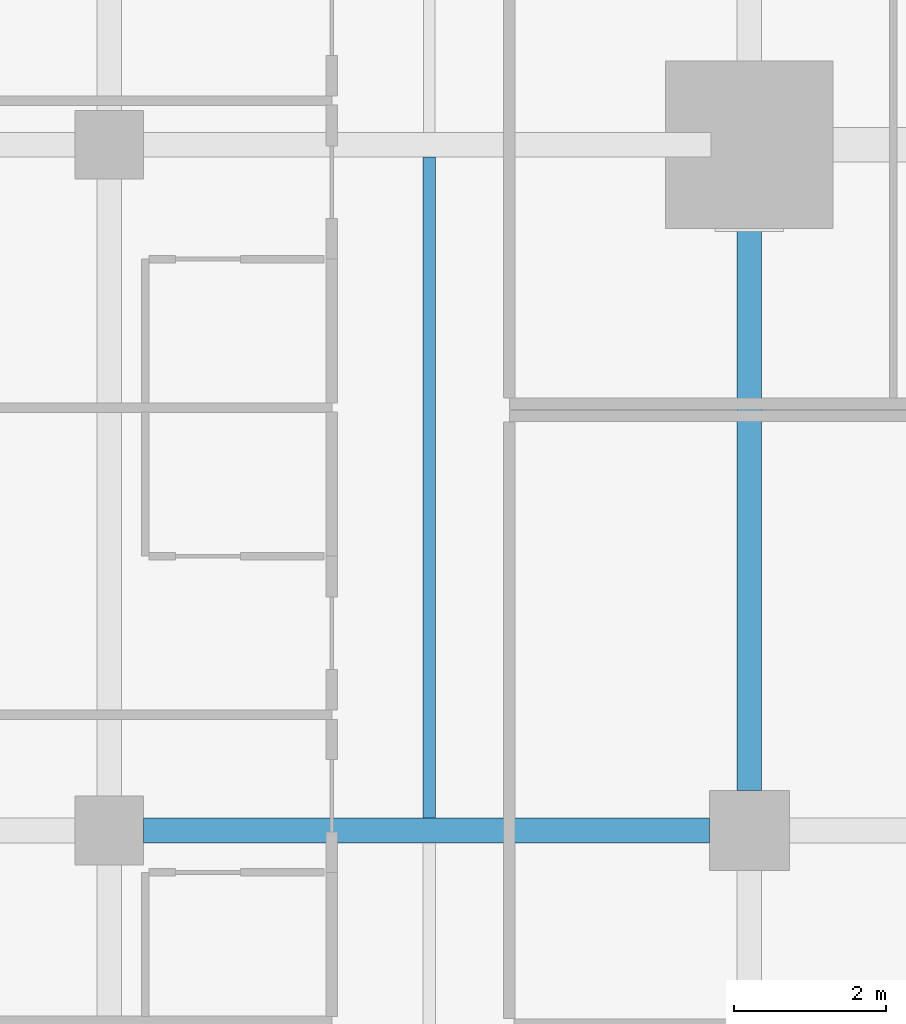
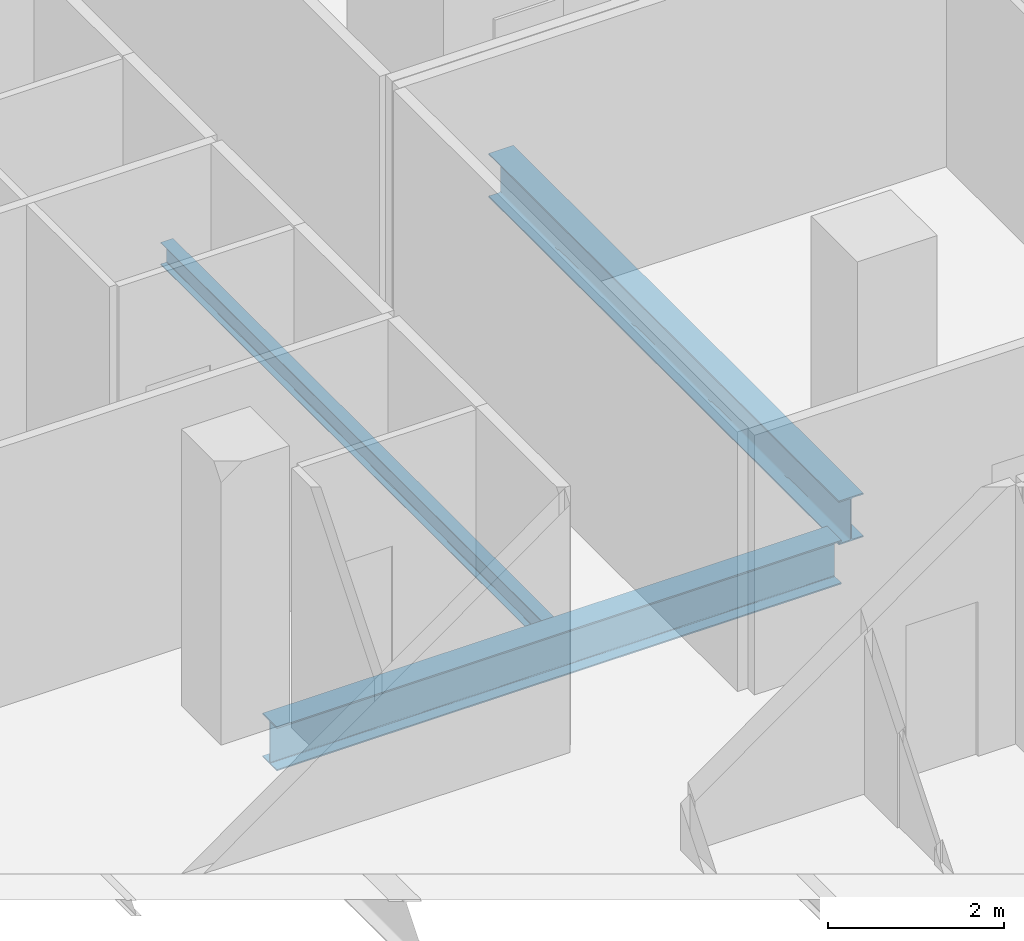
# One storey, part 11 of 40: 3 beams.
"""IFC4 building model written with IfcOpenShell, lengths in metres."""

from ifc_helpers import new_model, si_unit, direction, frame, origin, origin_2d, place, context, subcontext, project, spatial, i_section, extrude, material, material_profile, profile_set, type_object, element, save


model = new_model("IFC4")

# Units and contexts
model_context = context("Model", 3, precision=1e-05, world=origin(), true_north=direction((0.0, 1.0)))
body_context = subcontext(model_context, "Body", "Model", "MODEL_VIEW")
ifc_project = project(units=[si_unit("LENGTHUNIT", "METRE"), si_unit("AREAUNIT", "SQUARE_METRE"), si_unit("VOLUMEUNIT", "CUBIC_METRE"), si_unit("PLANEANGLEUNIT", "RADIAN"), si_unit("MASSUNIT", "GRAM", prefix="KILO")], contexts=[model_context])

# Site, building, storey
site_placement = place(None, origin())
site = spatial("IfcSite", under=ifc_project, at=site_placement, CompositionType="ELEMENT")
building_placement = place(site_placement, origin())
building = spatial("IfcBuilding", under=site, at=building_placement, Name="Maruvema Waterfront Hotel and Observation Tower", CompositionType="ELEMENT")
storey_placement = place(building_placement, frame((0.0, 0.0, 77.0)))
storey = spatial("IfcBuildingStorey", under=building, at=storey_placement, Name="L18", CompositionType="ELEMENT", Elevation=77.0)

# Beams
ifc_material_1 = material(Name="Steel ASTM A572 Grade 50", Category="steel")
ifc_material_profile_1 = material_profile(ifc_material_1, i_section(OverallWidth=0.323974609375, OverallDepth=0.611083984375, WebThickness=0.0126953125, FlangeThickness=0.01904296875, FilletRadius=0.01806640625, at=origin_2d()), Name="W610x155.0")
ifc_profile_set_1 = profile_set([ifc_material_profile_1], Name="Steel ASTM A572 Grade 50")
beam_type_1 = type_object("IfcBeamType", Name="Primary Floor Girder W610x155.0", PredefinedType="BEAM", material=ifc_profile_set_1)
beam_1_placement = place(storey_placement, frame((17.25, 18.0, -0.54541015625), z_axis=(1.0, 0.0, 0.0), x_axis=(0.0, 1.0, 0.0)))
element("IfcBeam", 1, at=beam_1_placement, inside=storey, type_object=beam_type_1, Name="L18 Floor Girder EW-14", PredefinedType="BEAM", context=body_context, shape_type="SweptSolid", body=[
    extrude(i_section(OverallWidth=0.323974609375, OverallDepth=0.611083984375, WebThickness=0.0126953125, FlangeThickness=0.01904296875, FilletRadius=0.01806640625, at=origin_2d()), origin(), (0.0, 0.0, 1.0), 7.425048828125),
])
beam_2_placement = place(storey_placement, frame((25.199951171875, 18.52490234375, -0.54541015625), z_axis=(0.0, 1.0, 0.0), x_axis=(-1.0, 0.0, 0.0)))
element("IfcBeam", 2, at=beam_2_placement, inside=storey, type_object=beam_type_1, Name="L18 Floor Girder NS-13", PredefinedType="BEAM", context=body_context, shape_type="SweptSolid", body=[
    extrude(i_section(OverallWidth=0.323974609375, OverallDepth=0.611083984375, WebThickness=0.0126953125, FlangeThickness=0.01904296875, FilletRadius=0.01806640625, at=origin_2d()), origin(), (0.0, 0.0, 1.0), 7.97509765625),
])
ifc_material_2 = material(Name="Steel ASTM A572 Grade 50", Category="steel")
ifc_material_profile_2 = material_profile(ifc_material_2, i_section(OverallWidth=0.1650390625, OverallDepth=0.31005859375, WebThickness=0.005859375, FlangeThickness=0.009765625, FilletRadius=0.012939453125, at=origin_2d()), Name="W310x38.7")
ifc_profile_set_2 = profile_set([ifc_material_profile_2], Name="Steel ASTM A572 Grade 50")
beam_type_2 = type_object("IfcBeamType", Name="Secondary Floor Joist W310x38.7", PredefinedType="JOIST", material=ifc_profile_set_2)
beam_3_placement = place(storey_placement, frame((21.0, 18.162109375, -0.39501953125), z_axis=(0.0, 1.0, 0.0), x_axis=(-1.0, 0.0, 0.0)))
element("IfcBeam", 3, at=beam_3_placement, inside=storey, type_object=beam_type_2, Name="L18 Secondary Floor Joist JS-07", PredefinedType="JOIST", context=body_context, shape_type="SweptSolid", body=[
    extrude(i_section(OverallWidth=0.1650390625, OverallDepth=0.31005859375, WebThickness=0.005859375, FlangeThickness=0.009765625, FilletRadius=0.012939453125, at=origin_2d()), origin(), (0.0, 0.0, 1.0), 8.67578125),
])

save(model, "model.ifc")
